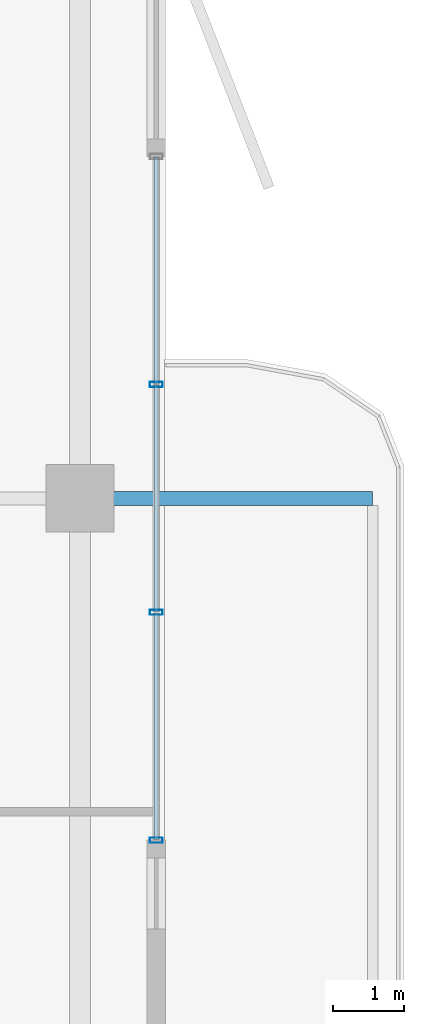
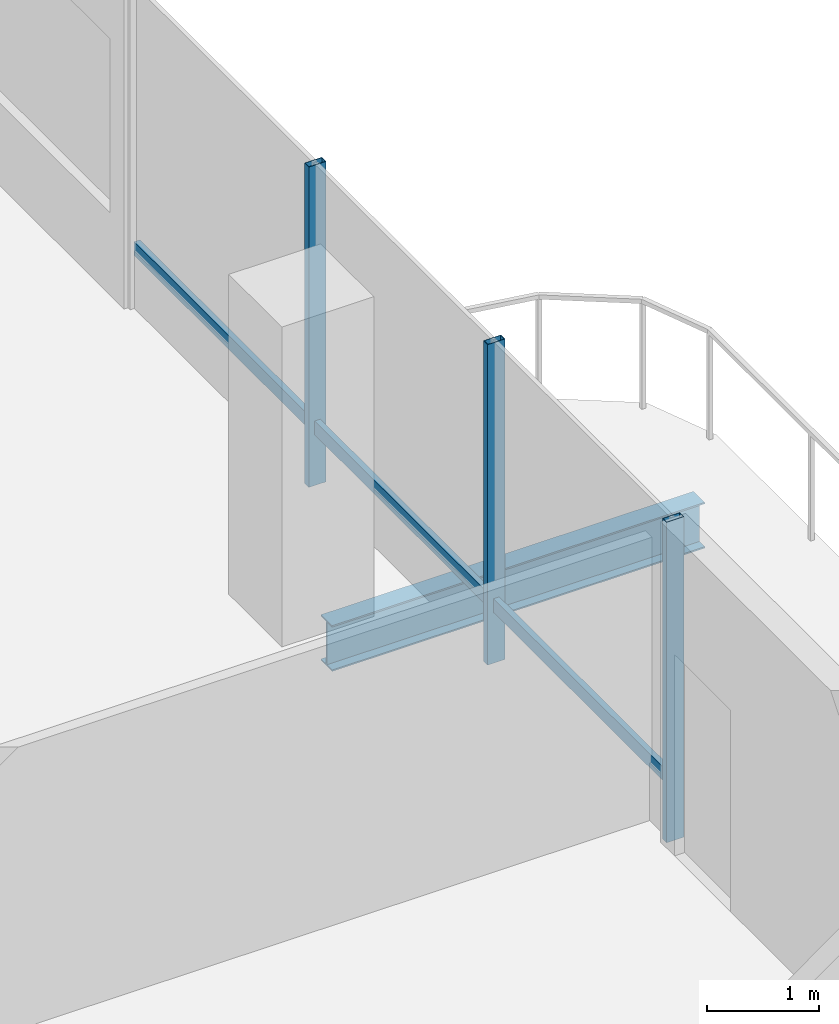
# One storey, part 10 of 23: 6 members, 1 beam, 1 element without a shape of its own.
"""IFC4 building model written with IfcOpenShell, lengths in metres."""

import ifcopenshell
import ifcopenshell.guid

model = None  # the IFC model being written
_history = None  # IfcOwnerHistory: only IFC2X3 demands one
_inside = {}  # id of a spatial element -> (the spatial element, [elements in it])
_under = {}  # id of a project, library or spatial element -> (it, [spatial elements below it])
_declared = {}  # id of a project -> (the project, [libraries it declares])
_typed = {}  # id of a type object -> (the type object, [elements of that type])
_made_of = {}  # id of a material, layer set ... -> (it, [elements and type objects made of it])


def new_model(schema):
    """Start an empty IFC model of exactly this schema.

    Asked for "IFC4X3", IfcOpenShell would pick the latest addendum, in which some entities
    have other attributes; the version numbers below select the first issue.
    IFC2X3 requires an IfcOwnerHistory on every rooted entity: one is made here for all.
    """
    global model, _history
    if schema == "IFC4X3":
        model = ifcopenshell.file(schema_version=(4, 3, 0, 0))
    else:
        model = ifcopenshell.file(schema=schema)
    _inside.clear()
    _under.clear()
    _declared.clear()
    _typed.clear()
    _made_of.clear()
    _history = None
    if model.schema == "IFC2X3":
        org = make("IfcOrganization", Name="unknown")
        user = make(
            "IfcPersonAndOrganization",
            ThePerson=make("IfcPerson", FamilyName="unknown"),
            TheOrganization=org,
        )
        app = make(
            "IfcApplication",
            ApplicationDeveloper=org,
            Version="unknown",
            ApplicationFullName="unknown",
            ApplicationIdentifier="unknown",
        )
        _history = make(
            "IfcOwnerHistory",
            OwningUser=user,
            OwningApplication=app,
            ChangeAction="ADDED",
            CreationDate=0,
        )
    return model


def make(cls, **values):
    """One entity of the class cls with the attributes given. An attribute that is None is left unset."""
    return model.create_entity(
        cls, **{name: value for name, value in values.items() if value is not None}
    )


def rooted(cls, **values):
    """An entity with a GlobalId (a new one), such as an element, a storey or a relation."""
    return make(cls, GlobalId=ifcopenshell.guid.new(), OwnerHistory=_history, **values)


def si_unit(unit_type, name, prefix=None):
    """IfcSIUnit, for example si_unit("LENGTHUNIT", "METRE", prefix="MILLI")."""
    return make("IfcSIUnit", UnitType=unit_type, Prefix=prefix, Name=name)


def assignment(units):
    """IfcUnitAssignment: the units of a project."""
    return None if units is None else make("IfcUnitAssignment", Units=units)


def point(xyz):
    """IfcCartesianPoint."""
    return None if xyz is None else make("IfcCartesianPoint", Coordinates=xyz)


def direction(xyz):
    """IfcDirection."""
    return None if xyz is None else make("IfcDirection", DirectionRatios=xyz)


def frame(location, z_axis=None, x_axis=None):
    """IfcAxis2Placement3D, a coordinate frame: its origin and axes. An axis left out is left unset."""
    return make(
        "IfcAxis2Placement3D",
        Location=point(location),
        Axis=direction(z_axis),
        RefDirection=direction(x_axis),
    )


def frame_2d(location, x_axis=None):
    """IfcAxis2Placement2D, a coordinate frame in the plane: its origin and x axis."""
    return make(
        "IfcAxis2Placement2D", Location=point(location), RefDirection=direction(x_axis)
    )


def origin():
    """The frame at (0, 0, 0) with its axes left unset."""
    return frame((0.0, 0.0, 0.0))


def origin_2d():
    """The frame at (0, 0) in the plane with its x axis left unset."""
    return frame_2d((0.0, 0.0))


def place(relative_to, where):
    """IfcLocalPlacement: puts the frame where relative to a parent placement (None: the world)."""
    return make(
        "IfcLocalPlacement", PlacementRelTo=relative_to, RelativePlacement=where
    )


def context(
    kind, dimensions, precision=None, world=None, true_north=None, identifier=None
):
    """IfcGeometricRepresentationContext, for example the 3D "Model" context."""
    return make(
        "IfcGeometricRepresentationContext",
        ContextIdentifier=identifier,
        ContextType=kind,
        CoordinateSpaceDimension=dimensions,
        Precision=precision,
        WorldCoordinateSystem=world,
        TrueNorth=true_north,
    )


def subcontext(parent, identifier, kind, view, scale=None):
    """IfcGeometricRepresentationSubContext, for example "Body" below "Model"."""
    return make(
        "IfcGeometricRepresentationSubContext",
        ContextIdentifier=identifier,
        ContextType=kind,
        ParentContext=parent,
        TargetScale=scale,
        TargetView=view,
    )


def project(units=None, contexts=None):
    """IfcProject with its units and contexts."""
    return rooted(
        "IfcProject",
        Name="project",
        RepresentationContexts=contexts,
        UnitsInContext=assignment(units),
    )


def spatial(cls, under=None, at=None, **own):
    """A site, building, storey or space (cls), placed at a placement, below another one or the project."""
    s = rooted(cls, ObjectPlacement=at, **own)
    if under is not None:
        _under.setdefault(under.id(), (under, []))[1].append(s)
    return s


def profile(cls, at=None, kind="AREA", **sizes):
    """A parametric profile (cls). Its sizes go by their IFC names, for example OverallWidth=200.0."""
    return make(cls, ProfileType=kind, Position=at, **sizes)


def hollow_rectangle(**sizes):
    """IfcRectangleHollowProfileDef."""
    return profile("IfcRectangleHollowProfileDef", **sizes)


def i_section(**sizes):
    """IfcIShapeProfileDef."""
    return profile("IfcIShapeProfileDef", **sizes)


def extrude(swept, where, along, depth):
    """IfcExtrudedAreaSolid: the profile swept, set in the frame where, extruded along a direction by depth."""
    return make(
        "IfcExtrudedAreaSolid",
        SweptArea=swept,
        Position=where,
        ExtrudedDirection=direction(along),
        Depth=depth,
    )


def shape(context_of_items, identifier, shape_type, items):
    """IfcShapeRepresentation: the items that make up one representation, for example the "Body"."""
    return make(
        "IfcShapeRepresentation",
        ContextOfItems=context_of_items,
        RepresentationIdentifier=identifier,
        RepresentationType=shape_type,
        Items=items,
    )


def material(Name=None, Category=None):
    """IfcMaterial."""
    return make("IfcMaterial", Name=Name, Category=Category)


def layer(
    of_material, thickness, ventilated=None, Name=None, Category=None, Priority=None
):
    """IfcMaterialLayer: one layer of a wall or slab, of a material (None: an air gap)."""
    return make(
        "IfcMaterialLayer",
        Material=of_material,
        LayerThickness=thickness,
        IsVentilated=ventilated,
        Name=Name,
        Category=Category,
        Priority=Priority,
    )


def layer_set(layers, Name=None):
    """IfcMaterialLayerSet."""
    return make("IfcMaterialLayerSet", MaterialLayers=layers, LayerSetName=Name)


def material_profile(
    of_material, cross_section, Name=None, Category=None, Priority=None
):
    """IfcMaterialProfile: a cross section and its material."""
    return make(
        "IfcMaterialProfile",
        Name=Name,
        Material=of_material,
        Profile=cross_section,
        Priority=Priority,
        Category=Category,
    )


def profile_set(profiles, Name=None, composite=None):
    """IfcMaterialProfileSet."""
    return make(
        "IfcMaterialProfileSet",
        Name=Name,
        MaterialProfiles=profiles,
        CompositeProfile=composite,
    )


def made_of(thing, what):
    """Note that an element or type object is made of a material, layer set ...; save() writes the relation."""
    if what is not None:
        _made_of.setdefault(what.id(), (what, []))[1].append(thing)
    return thing


def type_object(cls, material=None, **own):
    """A type object (cls), such as IfcWallType, which elements share."""
    return made_of(rooted(cls, **own), material)


def element(
    cls,
    number,
    at=None,
    inside=None,
    cuts=None,
    type_object=None,
    material=None,
    context=None,
    identifier="Body",
    shape_type=None,
    held_by="IfcProductDefinitionShape",
    body=None,
    shapes=None,
    **own,
):
    """One element of the class cls, such as IfcWall. Its Tag is "e" and its number.

    at: its placement. inside: the storey or other place that contains it. cuts: it is an
    opening in that element (IfcRelVoidsElement). A single representation is given by context,
    identifier, shape_type and body (its items); several are given by shapes. held_by: the class
    of the entity that holds the representations. save() writes the other relations.
    """
    e = rooted(cls, Tag="e%d" % number, ObjectPlacement=at, **own)
    if body is not None:
        shapes = [shape(context, identifier, shape_type, body)]
    if shapes is not None:
        e.Representation = make(held_by, Representations=shapes)
    if inside is not None:
        _inside.setdefault(inside.id(), (inside, []))[1].append(e)
    if cuts is not None:
        rooted(
            "IfcRelVoidsElement", RelatingBuildingElement=cuts, RelatedOpeningElement=e
        )
    if type_object is not None:
        _typed.setdefault(type_object.id(), (type_object, []))[1].append(e)
    return made_of(e, material)


def aggregate(whole, parts):
    """IfcRelAggregates: a whole, such as a stair, and the parts it consists of."""
    return rooted("IfcRelAggregates", RelatingObject=whole, RelatedObjects=parts)


def save(model, path):
    """Write the relations noted so far, then the file.

    IfcRelAggregates (storeys below a building ...), IfcRelContainedInSpatialStructure (elements
    in a storey), IfcRelDefinesByType, IfcRelAssociatesMaterial and IfcRelDeclares: one each for
    every whole, place, type object, material and project.
    """
    for whole, parts in _under.values():
        aggregate(whole, parts)
    for where, things in _inside.values():
        rooted(
            "IfcRelContainedInSpatialStructure",
            RelatedElements=things,
            RelatingStructure=where,
        )
    for kind, things in _typed.values():
        rooted("IfcRelDefinesByType", RelatedObjects=things, RelatingType=kind)
    for what, things in _made_of.values():
        rooted("IfcRelAssociatesMaterial", RelatedObjects=things, RelatingMaterial=what)
    for by, libraries in _declared.values():
        rooted("IfcRelDeclares", RelatingContext=by, RelatedDefinitions=libraries)
    model.write(path)


model = new_model("IFC4")

# Units and contexts
model_context = context("Model", 3, precision=1e-05, world=origin(), true_north=direction((0.0, 1.0)))
body_context = subcontext(model_context, "Body", "Model", "MODEL_VIEW")
ifc_project = project(units=[si_unit("LENGTHUNIT", "METRE"), si_unit("AREAUNIT", "SQUARE_METRE"), si_unit("VOLUMEUNIT", "CUBIC_METRE"), si_unit("PLANEANGLEUNIT", "RADIAN"), si_unit("MASSUNIT", "GRAM", prefix="KILO")], contexts=[model_context])

# Site, building, storey
site_placement = place(None, origin())
site = spatial("IfcSite", under=ifc_project, at=site_placement, CompositionType="ELEMENT")
building_placement = place(site_placement, origin())
building = spatial("IfcBuilding", under=site, at=building_placement, Name="Belovzor Exchange Tower", CompositionType="ELEMENT")
storey_placement = place(building_placement, frame((0.0, 0.0, 276.60009765625)))
storey = spatial("IfcBuildingStorey", under=building, at=storey_placement, Name="L69", CompositionType="ELEMENT", Elevation=276.60009765625)

# Beam
ifc_material_1 = material(Name="Steel S355", Category="steel")
ifc_material_profile_1 = material_profile(ifc_material_1, i_section(OverallWidth=0.199951171875, OverallDepth=0.5, WebThickness=0.01025390625, FlangeThickness=0.01611328125, at=origin_2d()))
ifc_profile_set_1 = profile_set([ifc_material_profile_1], Name="Steel S355")
beam_type = type_object("IfcBeamType", Name="Planted Balcony Cantilever Beam IPE 500", PredefinedType="BEAM", material=ifc_profile_set_1)
beam_placement = place(storey_placement, frame((52.760986328125, 28.800048828125, -0.5), z_axis=(1.0, 0.0, 0.0), x_axis=(0.0, 1.0, 0.0)))
element("IfcBeam", 1, at=beam_placement, inside=storey, type_object=beam_type, Name="BC-500 Planted Balcony Cantilever Beam IPE 500", PredefinedType="BEAM", context=body_context, shape_type="SweptSolid", body=[
    extrude(i_section(OverallWidth=0.199951171875, OverallDepth=0.5, WebThickness=0.01025390625, FlangeThickness=0.01611328125, at=origin_2d()), origin(), (0.0, 0.0, 1.0), 3.85009765625),
])

# Curtain wall, members
ifc_material_2 = material(Name="Anodised Aluminium Framing", Category="aluminium")
ifc_layer = layer(ifc_material_2, 0.179931640625)
ifc_layer_set = layer_set([ifc_layer], Name="Anodised Aluminium Framing")
curtain_wall_type = type_object("IfcCurtainWallType", Name="Recessed Loggia Low-Iron Triple-Glazed Curtain Wall", PredefinedType="NOTDEFINED", material=ifc_layer_set)
curtain_wall_placement = place(storey_placement, origin())
curtain_wall = element("IfcCurtainWall", 2, at=curtain_wall_placement, inside=storey, type_object=curtain_wall_type, Name="CW3 Recessed Loggia Low-Iron Triple-Glazed Curtain Wall L69", PredefinedType="NOTDEFINED")
ifc_material_3 = material(Name="Steel S355", Category="steel")
ifc_material_profile_2 = material_profile(ifc_material_3, hollow_rectangle(XDim=0.074951171875, YDim=0.179931640625, WallThickness=0.0048828125, at=origin_2d()))
ifc_profile_set_2 = profile_set([ifc_material_profile_2], Name="Steel S355")
member_type_1 = type_object("IfcMemberType", Name="Thermally Broken Curtain Wall Mullion 180x75", PredefinedType="MULLION", material=ifc_profile_set_2)
member_1_placement = place(storey_placement, frame((53.570068359375, 30.39990234375, 0.0), z_axis=(0.0, 0.0, 1.0), x_axis=(0.0, -1.0, 0.0)))
member_1 = element("IfcMember", 3, at=member_1_placement, type_object=member_type_1, Name="CW-M180 Curtain Wall Mullion 2", PredefinedType="MULLION", context=body_context, shape_type="SweptSolid", body=[
    extrude(hollow_rectangle(XDim=0.074951171875, YDim=0.179931640625, WallThickness=0.0048828125, at=origin_2d()), origin(), (0.0, 0.0, 1.0), 3.5),
])
member_2_placement = place(storey_placement, frame((53.570068359375, 27.199951171875, 0.0), z_axis=(0.0, 0.0, 1.0), x_axis=(0.0, -1.0, 0.0)))
member_2 = element("IfcMember", 4, at=member_2_placement, type_object=member_type_1, Name="CW-M180 Curtain Wall Mullion 3", PredefinedType="MULLION", context=body_context, shape_type="SweptSolid", body=[
    extrude(hollow_rectangle(XDim=0.074951171875, YDim=0.179931640625, WallThickness=0.0048828125, at=origin_2d()), origin(), (0.0, 0.0, 1.0), 3.5),
])
member_3_placement = place(storey_placement, frame((53.570068359375, 24.0, 0.0), z_axis=(0.0, 0.0, 1.0), x_axis=(0.0, -1.0, 0.0)))
member_3 = element("IfcMember", 5, at=member_3_placement, type_object=member_type_1, Name="CW-M180 Curtain Wall Mullion 4", PredefinedType="MULLION", context=body_context, shape_type="SweptSolid", body=[
    extrude(hollow_rectangle(XDim=0.074951171875, YDim=0.179931640625, WallThickness=0.0048828125, at=origin_2d()), origin(), (0.0, 0.0, 1.0), 3.5),
])
ifc_material_4 = material(Name="Steel S355", Category="steel")
ifc_material_profile_3 = material_profile(ifc_material_4, hollow_rectangle(XDim=0.06005859375, YDim=0.14990234375, WallThickness=0.00390625, at=origin_2d()))
ifc_profile_set_3 = profile_set([ifc_material_profile_3], Name="Steel S355")
member_type_2 = type_object("IfcMemberType", Name="Thermally Broken Curtain Wall Transom 150x60", PredefinedType="USERDEFINED", material=ifc_profile_set_3)
member_4_placement = place(storey_placement, frame((53.570068359375, 33.592041015625, 0.6298828125), z_axis=(0.0, -1.0, 0.0), x_axis=(1.0, 0.0, 0.0)))
member_4 = element("IfcMember", 6, at=member_4_placement, type_object=member_type_2, Name="CW-T150 Curtain Wall Transom 1", ObjectType="TRANSOM", PredefinedType="USERDEFINED", context=body_context, shape_type="SweptSolid", body=[
    extrude(hollow_rectangle(XDim=0.06005859375, YDim=0.14990234375, WallThickness=0.00390625, at=origin_2d()), origin(), (0.0, 0.0, 1.0), 3.18408203125),
])
member_5_placement = place(storey_placement, frame((53.570068359375, 30.39208984375, 0.6298828125), z_axis=(0.0, -1.0, 0.0), x_axis=(1.0, 0.0, 0.0)))
member_5 = element("IfcMember", 7, at=member_5_placement, type_object=member_type_2, Name="CW-T150 Curtain Wall Transom 2", ObjectType="TRANSOM", PredefinedType="USERDEFINED", context=body_context, shape_type="SweptSolid", body=[
    extrude(hollow_rectangle(XDim=0.06005859375, YDim=0.14990234375, WallThickness=0.00390625, at=origin_2d()), origin(), (0.0, 0.0, 1.0), 3.18408203125),
])
member_6_placement = place(storey_placement, frame((53.570068359375, 27.19189453125, 0.6298828125), z_axis=(0.0, -1.0, 0.0), x_axis=(1.0, 0.0, 0.0)))
member_6 = element("IfcMember", 8, at=member_6_placement, type_object=member_type_2, Name="CW-T150 Curtain Wall Transom 3", ObjectType="TRANSOM", PredefinedType="USERDEFINED", context=body_context, shape_type="SweptSolid", body=[
    extrude(hollow_rectangle(XDim=0.06005859375, YDim=0.14990234375, WallThickness=0.00390625, at=origin_2d()), origin(), (0.0, 0.0, 1.0), 3.183837890625),
])
aggregate(curtain_wall, [member_1, member_2, member_3, member_4, member_5, member_6])

save(model, "model.ifc")
